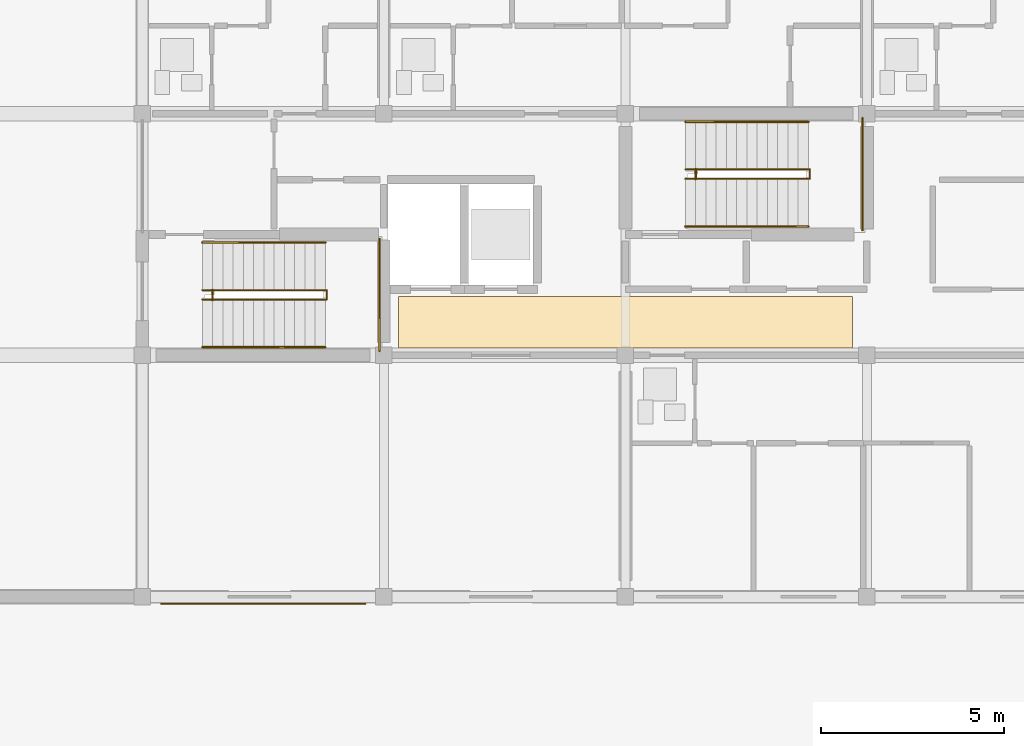
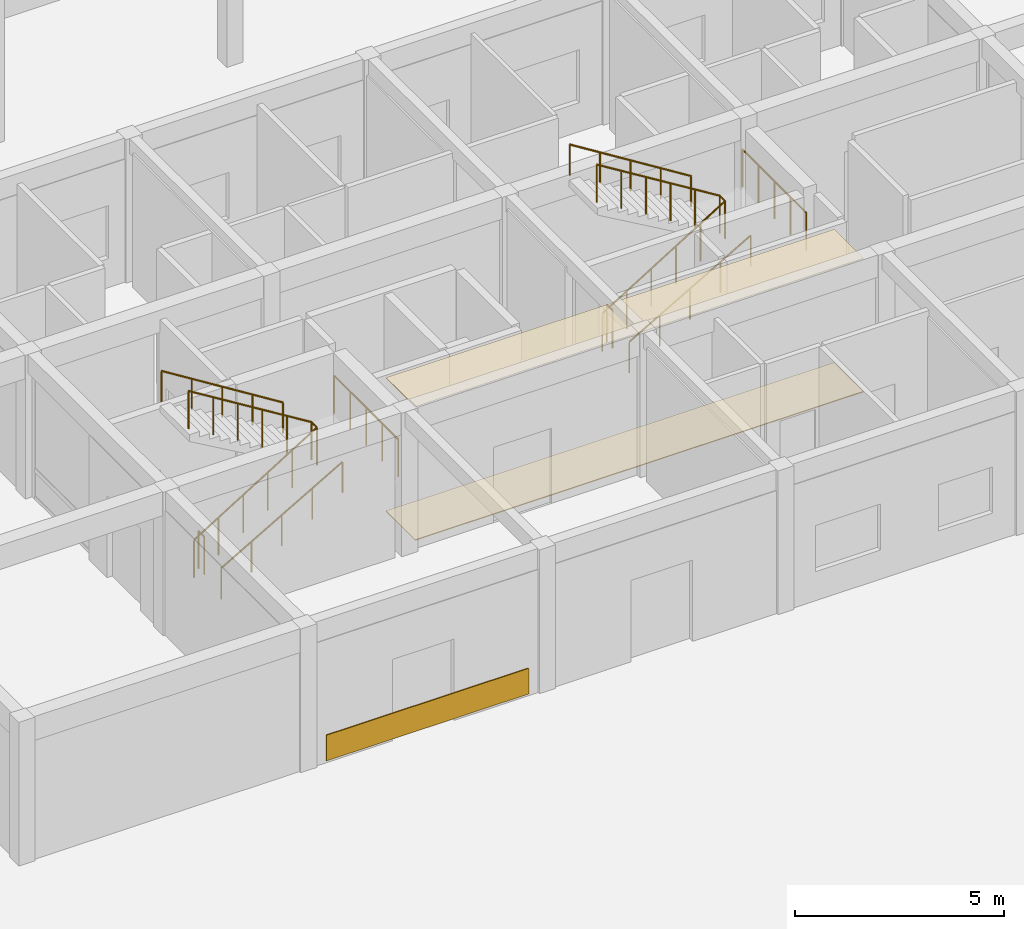
# One storey, part 65 of 75: 10 railings, 3 coverings.
"""IFC4 building model written with IfcOpenShell, lengths in metres."""

from ifc_helpers import new_model, si_unit, direction, frame, origin, origin_2d, place, context, subcontext, project, spatial, polyline, rectangle, circle, outline, extrude, material, layer, layer_set, type_object, element, save


model = new_model("IFC4")

# Units and contexts
model_context = context("Model", 3, precision=1e-05, world=origin(), true_north=direction((0.0, 1.0)))
body_context = subcontext(model_context, "Body", "Model", "MODEL_VIEW")
ifc_project = project(units=[si_unit("LENGTHUNIT", "METRE"), si_unit("AREAUNIT", "SQUARE_METRE"), si_unit("VOLUMEUNIT", "CUBIC_METRE"), si_unit("PLANEANGLEUNIT", "RADIAN"), si_unit("MASSUNIT", "GRAM", prefix="KILO")], contexts=[model_context])

# Site, building, storey
site_placement = place(None, origin())
site = spatial("IfcSite", under=ifc_project, at=site_placement, CompositionType="ELEMENT")
building_placement = place(site_placement, origin())
building = spatial("IfcBuilding", under=site, at=building_placement, Name="Kernevlak Ridge Housing Community", CompositionType="ELEMENT")
storey_placement = place(building_placement, origin())
storey = spatial("IfcBuildingStorey", under=building, at=storey_placement, Name="L00", CompositionType="ELEMENT", Elevation=0.0)

# Coverings
ifc_material_1 = material(Name="Acoustic perforated gypsum ceiling board")
ifc_layer_1 = layer(ifc_material_1, 0.02001953125, Name="Acoustic perforated gypsum ceiling board")
ifc_layer_set_1 = layer_set([ifc_layer_1], Name="Acoustic perforated gypsum ceiling board")
covering_type_1 = type_object("IfcCoveringType", Name="CV-01", PredefinedType="CEILING", material=ifc_layer_set_1)
covering_1_placement = place(storey_placement, frame((0.0, 0.0, 3.89990234375)))
element("IfcCovering", 1, at=covering_1_placement, inside=storey, type_object=covering_type_1, Name="Block D L00 lobby acoustic ceiling", PredefinedType="CEILING", context=body_context, shape_type="SweptSolid", body=[
    extrude(outline(polyline([(22.60009765625, 22.39990234375), (35.0, 22.39990234375), (35.0, 23.800048828125), (22.60009765625, 23.800048828125), (22.60009765625, 22.39990234375)])), origin(), (0.0, 0.0, 1.0), 0.02001953125),
])
ifc_material_2 = material(Name="Polished pale terrazzo tile flooring")
ifc_layer_2 = layer(ifc_material_2, 0.02490234375, Name="Polished pale terrazzo tile flooring")
ifc_layer_set_2 = layer_set([ifc_layer_2], Name="Polished pale terrazzo tile flooring")
covering_type_2 = type_object("IfcCoveringType", Name="CV-02", PredefinedType="FLOORING", material=ifc_layer_set_2)
covering_2_placement = place(storey_placement, origin())
element("IfcCovering", 2, at=covering_2_placement, inside=storey, type_object=covering_type_2, Name="Block D L00 lobby terrazzo flooring", PredefinedType="FLOORING", context=body_context, shape_type="SweptSolid", body=[
    extrude(outline(polyline([(22.60009765625, 22.39990234375), (35.0, 22.39990234375), (35.0, 23.800048828125), (22.60009765625, 23.800048828125), (22.60009765625, 22.39990234375)])), origin(), (0.0, 0.0, 1.0), 0.02490234375),
])
ifc_material_3 = material(Name="Aluminium EN AW-5005 enamelled cladding", Category="aluminium")
ifc_layer_3 = layer(ifc_material_3, 0.030029296875, Name="Aluminium EN AW-5005 enamelled cladding")
ifc_layer_set_3 = layer_set([ifc_layer_3], Name="Aluminium EN AW-5005 enamelled cladding")
covering_type_3 = type_object("IfcCoveringType", Name="CV-04", PredefinedType="CLADDING", material=ifc_layer_set_3)
covering_3_placement = place(storey_placement, frame((18.89990234375, 15.4150390625, 0.074951171875), z_axis=(0.0, 0.0, 1.0), x_axis=(1.0, 0.0, 0.0)))
element("IfcCovering", 3, at=covering_3_placement, inside=storey, type_object=covering_type_3, Name="Block D L00 De Stijl blue spandrel cladding", PredefinedType="CLADDING", context=body_context, shape_type="SweptSolid", body=[
    extrude(rectangle(XDim=5.60009765625, YDim=0.030029296875, at=origin_2d()), origin(), (0.0, 0.0, 1.0), 0.75),
])

# Railings
ifc_material_4 = material(Name="Steel S355", Category="steel")
railing_type_1 = type_object("IfcRailingType", Name="GR-02", PredefinedType="GUARDRAIL", material=ifc_material_4)
railing_1_placement = place(storey_placement, frame((17.52001953125, 23.7099609375, 0.0)))
element("IfcRailing", 4, at=railing_1_placement, inside=storey, type_object=railing_type_1, Name="Stair ST-D1 L00 well slot guard", PredefinedType="GUARDRAIL", context=body_context, shape_type="SweptSolid", body=[
    extrude(circle(Radius=0.02392578125, at=origin_2d()), frame((0.0, 0.0, 1.09619140625), z_axis=(0.0, 1.0, 0.0), x_axis=(-1.0, 0.0, 0.0)), (0.0, 0.0, 1.0), 0.280029296875),
    extrude(circle(Radius=0.02099609375, at=origin_2d()), origin(), (0.0, 0.0, 1.0), 1.072021484375),
    extrude(circle(Radius=0.02099609375, at=origin_2d()), frame((0.0, 0.280029296875, 0.0)), (0.0, 0.0, 1.0), 1.072021484375),
])
railing_2_placement = place(storey_placement, frame((17.239990234375, 23.719970703125, 0.0)))
element("IfcRailing", 5, at=railing_2_placement, inside=storey, type_object=railing_type_1, Name="Stair ST-D1 L00 inner well guardrail", PredefinedType="GUARDRAIL", context=body_context, shape_type="SweptSolid", body=[
    extrude(circle(Radius=0.02392578125, at=origin_2d()), frame((0.0, 0.0, 1.09619140625), z_axis=(0.850780323153, 0.0, 0.525521495028), x_axis=(0.0, 1.0, 0.0)), (0.0, 0.0, 1.0), 3.996337890625),
    extrude(circle(Radius=0.02392578125, at=origin_2d()), frame((3.39990234375, 0.0, 3.1962890625), z_axis=(0.0, 1.0, 0.0), x_axis=(-1.0, 0.0, 0.0)), (0.0, 0.0, 1.0), 0.260009765625),
    extrude(circle(Radius=0.02392578125, at=origin_2d()), frame((3.39990234375, 0.260009765625, 3.1962890625), z_axis=(-0.85080763774, 0.0, 0.525477272167), x_axis=(0.0, -1.0, 0.0)), (0.0, 0.0, 1.0), 3.99609375),
    extrude(circle(Radius=0.02099609375, at=origin_2d()), origin(), (0.0, 0.0, 1.0), 1.072021484375),
    extrude(circle(Radius=0.02099609375, at=origin_2d()), frame((0.679931640625, 0.0, 0.419921875)), (0.0, 0.0, 1.0), 1.072021484375),
    extrude(circle(Radius=0.02099609375, at=origin_2d()), frame((1.35986328125, 0.0, 0.840087890625)), (0.0, 0.0, 1.0), 1.072021484375),
    extrude(circle(Radius=0.02099609375, at=origin_2d()), frame((2.0400390625, 0.0, 1.260009765625)), (0.0, 0.0, 1.0), 1.072021484375),
    extrude(circle(Radius=0.02099609375, at=origin_2d()), frame((2.719970703125, 0.0, 1.68017578125)), (0.0, 0.0, 1.0), 1.072021484375),
    extrude(circle(Radius=0.02099609375, at=origin_2d()), frame((3.39990234375, 0.0, 2.10009765625)), (0.0, 0.0, 1.0), 1.072021484375),
    extrude(circle(Radius=0.02099609375, at=origin_2d()), frame((3.39990234375, 0.260009765625, 2.10009765625)), (0.0, 0.0, 1.0), 1.072021484375),
    extrude(circle(Radius=0.02099609375, at=origin_2d()), frame((2.719970703125, 0.260009765625, 2.52001953125)), (0.0, 0.0, 1.0), 1.072021484375),
    extrude(circle(Radius=0.02099609375, at=origin_2d()), frame((2.0400390625, 0.260009765625, 2.93994140625)), (0.0, 0.0, 1.0), 1.072021484375),
    extrude(circle(Radius=0.02099609375, at=origin_2d()), frame((1.35986328125, 0.260009765625, 3.360107421875)), (0.0, 0.0, 1.0), 1.072021484375),
    extrude(circle(Radius=0.02099609375, at=origin_2d()), frame((0.679931640625, 0.260009765625, 3.780029296875)), (0.0, 0.0, 1.0), 1.072021484375),
    extrude(circle(Radius=0.02099609375, at=origin_2d()), frame((0.0, 0.260009765625, 4.199951171875)), (0.0, 0.0, 1.0), 1.072021484375),
])
railing_3_placement = place(storey_placement, frame((22.080078125, 22.320068359375, 2.10009765625)))
element("IfcRailing", 6, at=railing_3_placement, inside=storey, type_object=railing_type_1, Name="Stair ST-D1 L00 half-landing guard", PredefinedType="GUARDRAIL", context=body_context, shape_type="SweptSolid", body=[
    extrude(circle(Radius=0.02392578125, at=origin_2d()), frame((0.0, 0.0, 1.09619140625), z_axis=(0.0, 1.0, 0.0), x_axis=(-1.0, 0.0, 0.0)), (0.0, 0.0, 1.0), 3.059814453125),
    extrude(circle(Radius=0.02099609375, at=origin_2d()), origin(), (0.0, 0.0, 1.0), 1.072021484375),
    extrude(circle(Radius=0.02099609375, at=origin_2d()), frame((0.0, 0.764892578125, 0.0)), (0.0, 0.0, 1.0), 1.072021484375),
    extrude(circle(Radius=0.02099609375, at=origin_2d()), frame((0.0, 1.52978515625, 0.0)), (0.0, 0.0, 1.0), 1.072021484375),
    extrude(circle(Radius=0.02099609375, at=origin_2d()), frame((0.0, 2.294921875, 0.0)), (0.0, 0.0, 1.0), 1.072021484375),
    extrude(circle(Radius=0.02099609375, at=origin_2d()), frame((0.0, 3.059814453125, 0.0)), (0.0, 0.0, 1.0), 1.072021484375),
])
railing_4_placement = place(storey_placement, frame((30.719970703125, 27.010009765625, 0.0)))
element("IfcRailing", 7, at=railing_4_placement, inside=storey, type_object=railing_type_1, Name="Stair ST-D2 L00 well slot guard", PredefinedType="GUARDRAIL", context=body_context, shape_type="SweptSolid", body=[
    extrude(circle(Radius=0.02392578125, at=origin_2d()), frame((0.0, 0.0, 1.09619140625), z_axis=(0.0, 1.0, 0.0), x_axis=(-1.0, 0.0, 0.0)), (0.0, 0.0, 1.0), 0.280029296875),
    extrude(circle(Radius=0.02099609375, at=origin_2d()), origin(), (0.0, 0.0, 1.0), 1.072021484375),
    extrude(circle(Radius=0.02099609375, at=origin_2d()), frame((0.0, 0.280029296875, 0.0)), (0.0, 0.0, 1.0), 1.072021484375),
])
railing_5_placement = place(storey_placement, frame((30.43994140625, 27.02001953125, 0.0)))
element("IfcRailing", 8, at=railing_5_placement, inside=storey, type_object=railing_type_1, Name="Stair ST-D2 L00 inner well guardrail", PredefinedType="GUARDRAIL", context=body_context, shape_type="SweptSolid", body=[
    extrude(circle(Radius=0.02392578125, at=origin_2d()), frame((0.0, 0.0, 1.09619140625), z_axis=(0.850797194049, 0.0, 0.525494181317), x_axis=(0.0, 1.0, 0.0)), (0.0, 0.0, 1.0), 3.996337890625),
    extrude(circle(Radius=0.02392578125, at=origin_2d()), frame((3.400146484375, 0.0, 3.1962890625), z_axis=(0.0, 1.0, 0.0), x_axis=(-1.0, 0.0, 0.0)), (0.0, 0.0, 1.0), 0.260009765625),
    extrude(circle(Radius=0.02392578125, at=origin_2d()), frame((3.400146484375, 0.260009765625, 3.1962890625), z_axis=(-0.850824506338, 0.0, 0.525449959001), x_axis=(0.0, -1.0, 0.0)), (0.0, 0.0, 1.0), 3.996337890625),
    extrude(circle(Radius=0.02099609375, at=origin_2d()), origin(), (0.0, 0.0, 1.0), 1.072021484375),
    extrude(circle(Radius=0.02099609375, at=origin_2d()), frame((0.679931640625, 0.0, 0.419921875)), (0.0, 0.0, 1.0), 1.072021484375),
    extrude(circle(Radius=0.02099609375, at=origin_2d()), frame((1.360107421875, 0.0, 0.840087890625)), (0.0, 0.0, 1.0), 1.072021484375),
    extrude(circle(Radius=0.02099609375, at=origin_2d()), frame((2.0400390625, 0.0, 1.260009765625)), (0.0, 0.0, 1.0), 1.072021484375),
    extrude(circle(Radius=0.02099609375, at=origin_2d()), frame((2.72021484375, 0.0, 1.68017578125)), (0.0, 0.0, 1.0), 1.072021484375),
    extrude(circle(Radius=0.02099609375, at=origin_2d()), frame((3.400146484375, 0.0, 2.10009765625)), (0.0, 0.0, 1.0), 1.072021484375),
    extrude(circle(Radius=0.02099609375, at=origin_2d()), frame((3.400146484375, 0.260009765625, 2.10009765625)), (0.0, 0.0, 1.0), 1.072021484375),
    extrude(circle(Radius=0.02099609375, at=origin_2d()), frame((2.72021484375, 0.260009765625, 2.52001953125)), (0.0, 0.0, 1.0), 1.072021484375),
    extrude(circle(Radius=0.02099609375, at=origin_2d()), frame((2.0400390625, 0.260009765625, 2.93994140625)), (0.0, 0.0, 1.0), 1.072021484375),
    extrude(circle(Radius=0.02099609375, at=origin_2d()), frame((1.360107421875, 0.260009765625, 3.360107421875)), (0.0, 0.0, 1.0), 1.072021484375),
    extrude(circle(Radius=0.02099609375, at=origin_2d()), frame((0.679931640625, 0.260009765625, 3.780029296875)), (0.0, 0.0, 1.0), 1.072021484375),
    extrude(circle(Radius=0.02099609375, at=origin_2d()), frame((0.0, 0.260009765625, 4.199951171875)), (0.0, 0.0, 1.0), 1.072021484375),
])
railing_6_placement = place(storey_placement, frame((35.280029296875, 25.6201171875, 2.10009765625)))
element("IfcRailing", 9, at=railing_6_placement, inside=storey, type_object=railing_type_1, Name="Stair ST-D2 L00 half-landing guard", PredefinedType="GUARDRAIL", context=body_context, shape_type="SweptSolid", body=[
    extrude(circle(Radius=0.02392578125, at=origin_2d()), frame((0.0, 0.0, 1.09619140625), z_axis=(0.0, 1.0, 0.0), x_axis=(-1.0, 0.0, 0.0)), (0.0, 0.0, 1.0), 3.059814453125),
    extrude(circle(Radius=0.02099609375, at=origin_2d()), origin(), (0.0, 0.0, 1.0), 1.072021484375),
    extrude(circle(Radius=0.02099609375, at=origin_2d()), frame((0.0, 0.764892578125, 0.0)), (0.0, 0.0, 1.0), 1.072021484375),
    extrude(circle(Radius=0.02099609375, at=origin_2d()), frame((0.0, 1.52978515625, 0.0)), (0.0, 0.0, 1.0), 1.072021484375),
    extrude(circle(Radius=0.02099609375, at=origin_2d()), frame((0.0, 2.294921875, 0.0)), (0.0, 0.0, 1.0), 1.072021484375),
    extrude(circle(Radius=0.02099609375, at=origin_2d()), frame((0.0, 3.059814453125, 0.0)), (0.0, 0.0, 1.0), 1.072021484375),
])
ifc_material_5 = material(Name="Stainless steel EN 1.4401", Category="steel")
railing_type_2 = type_object("IfcRailingType", Name="HR-01", PredefinedType="HANDRAIL", material=ifc_material_5)
railing_7_placement = place(storey_placement, frame((17.239990234375, 22.419921875, 0.16162109375)))
element("IfcRailing", 10, at=railing_7_placement, inside=storey, type_object=railing_type_2, Name="Stair ST-D1 L00 flight 1 handrail", PredefinedType="HANDRAIL", context=body_context, shape_type="SweptSolid", body=[
    extrude(circle(Radius=0.02392578125, at=origin_2d()), frame((0.0, 0.0, 0.89599609375), z_axis=(0.866190824863, 0.0, 0.499713372768), x_axis=(0.0, 1.0, 0.0)), (0.0, 0.0, 1.0), 3.879150390625),
    extrude(circle(Radius=0.02099609375, at=origin_2d()), origin(), (0.0, 0.0, 1.0), 0.871826171875),
    extrude(circle(Radius=0.02099609375, at=origin_2d()), frame((0.840087890625, 0.0, 0.484619140625)), (0.0, 0.0, 1.0), 0.871826171875),
    extrude(circle(Radius=0.02099609375, at=origin_2d()), frame((1.68017578125, 0.0, 0.96923828125)), (0.0, 0.0, 1.0), 0.871826171875),
    extrude(circle(Radius=0.02099609375, at=origin_2d()), frame((2.52001953125, 0.0, 1.453857421875)), (0.0, 0.0, 1.0), 0.871826171875),
    extrude(circle(Radius=0.02099609375, at=origin_2d()), frame((3.360107421875, 0.0, 1.9384765625)), (0.0, 0.0, 1.0), 0.871826171875),
])
railing_8_placement = place(storey_placement, frame((20.60009765625, 25.280029296875, 2.10009765625)))
element("IfcRailing", 11, at=railing_8_placement, inside=storey, type_object=railing_type_2, Name="Stair ST-D1 L00 flight 2 handrail", PredefinedType="HANDRAIL", context=body_context, shape_type="SweptSolid", body=[
    extrude(circle(Radius=0.02392578125, at=origin_2d()), frame((0.0, 0.0, 0.89599609375), z_axis=(-0.848022534174, 0.0, 0.529960169762), x_axis=(0.0, -1.0, 0.0)), (0.0, 0.0, 1.0), 3.96240234375),
    extrude(circle(Radius=0.02099609375, at=origin_2d()), origin(), (0.0, 0.0, 1.0), 0.871826171875),
    extrude(circle(Radius=0.02099609375, at=origin_2d()), frame((-0.840087890625, 0.0, 0.52490234375)), (0.0, 0.0, 1.0), 0.871826171875),
    extrude(circle(Radius=0.02099609375, at=origin_2d()), frame((-1.68017578125, 0.0, 1.0498046875)), (0.0, 0.0, 1.0), 0.871826171875),
    extrude(circle(Radius=0.02099609375, at=origin_2d()), frame((-2.52001953125, 0.0, 1.574951171875)), (0.0, 0.0, 1.0), 0.871826171875),
    extrude(circle(Radius=0.02099609375, at=origin_2d()), frame((-3.360107421875, 0.0, 2.099853515625)), (0.0, 0.0, 1.0), 0.871826171875),
])
railing_9_placement = place(storey_placement, frame((30.43994140625, 25.719970703125, 0.16162109375)))
element("IfcRailing", 12, at=railing_9_placement, inside=storey, type_object=railing_type_2, Name="Stair ST-D2 L00 flight 1 handrail", PredefinedType="HANDRAIL", context=body_context, shape_type="SweptSolid", body=[
    extrude(circle(Radius=0.02392578125, at=origin_2d()), frame((0.0, 0.0, 0.89599609375), z_axis=(0.866190824863, 0.0, 0.499713372768), x_axis=(0.0, 1.0, 0.0)), (0.0, 0.0, 1.0), 3.879150390625),
    extrude(circle(Radius=0.02099609375, at=origin_2d()), origin(), (0.0, 0.0, 1.0), 0.871826171875),
    extrude(circle(Radius=0.02099609375, at=origin_2d()), frame((0.840087890625, 0.0, 0.484619140625)), (0.0, 0.0, 1.0), 0.871826171875),
    extrude(circle(Radius=0.02099609375, at=origin_2d()), frame((1.68017578125, 0.0, 0.96923828125)), (0.0, 0.0, 1.0), 0.871826171875),
    extrude(circle(Radius=0.02099609375, at=origin_2d()), frame((2.52001953125, 0.0, 1.453857421875)), (0.0, 0.0, 1.0), 0.871826171875),
    extrude(circle(Radius=0.02099609375, at=origin_2d()), frame((3.360107421875, 0.0, 1.9384765625)), (0.0, 0.0, 1.0), 0.871826171875),
])
railing_10_placement = place(storey_placement, frame((33.800048828125, 28.580078125, 2.10009765625)))
element("IfcRailing", 13, at=railing_10_placement, inside=storey, type_object=railing_type_2, Name="Stair ST-D2 L00 flight 2 handrail", PredefinedType="HANDRAIL", context=body_context, shape_type="SweptSolid", body=[
    extrude(circle(Radius=0.02392578125, at=origin_2d()), frame((0.0, 0.0, 0.89599609375), z_axis=(-0.848022534174, 0.0, 0.529960169762), x_axis=(0.0, -1.0, 0.0)), (0.0, 0.0, 1.0), 3.96240234375),
    extrude(circle(Radius=0.02099609375, at=origin_2d()), origin(), (0.0, 0.0, 1.0), 0.871826171875),
    extrude(circle(Radius=0.02099609375, at=origin_2d()), frame((-0.840087890625, 0.0, 0.52490234375)), (0.0, 0.0, 1.0), 0.871826171875),
    extrude(circle(Radius=0.02099609375, at=origin_2d()), frame((-1.68017578125, 0.0, 1.0498046875)), (0.0, 0.0, 1.0), 0.871826171875),
    extrude(circle(Radius=0.02099609375, at=origin_2d()), frame((-2.52001953125, 0.0, 1.574951171875)), (0.0, 0.0, 1.0), 0.871826171875),
    extrude(circle(Radius=0.02099609375, at=origin_2d()), frame((-3.360107421875, 0.0, 2.099853515625)), (0.0, 0.0, 1.0), 0.871826171875),
])

save(model, "model.ifc")
